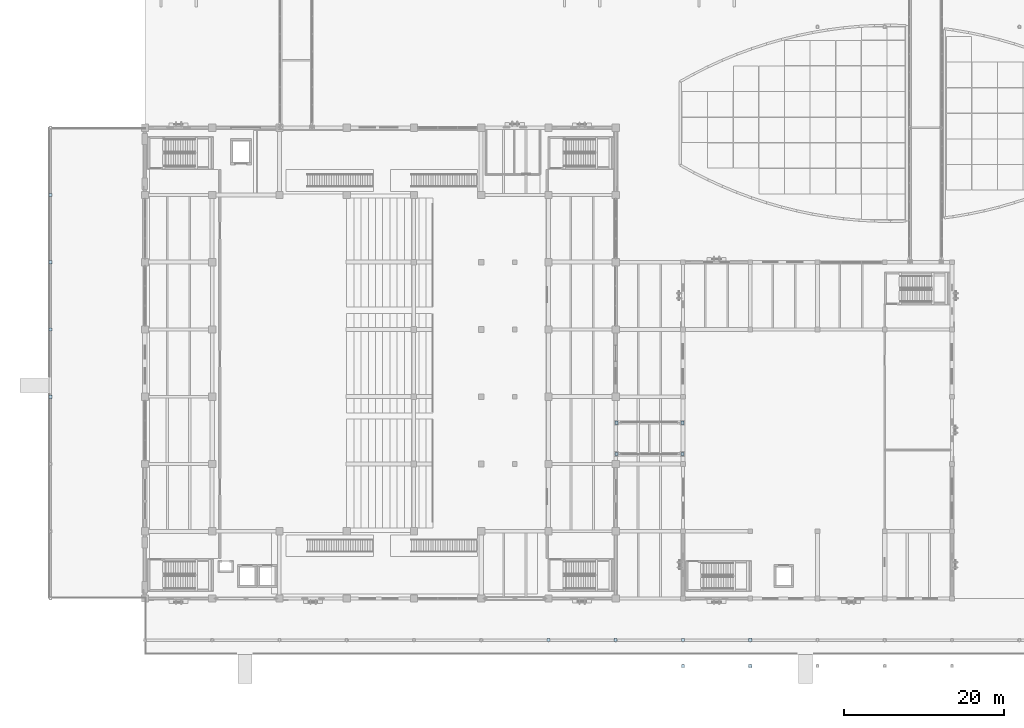
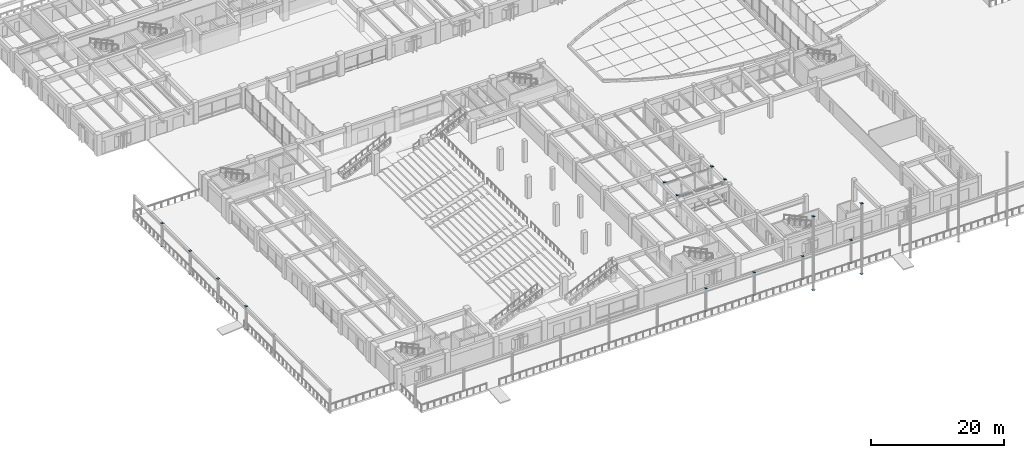
# One storey, part 75 of 135: 28 plates.
"""IFC4 building model written with IfcOpenShell, lengths in metres."""

from ifc_helpers import new_model, si_unit, direction, frame, origin, origin_2d, place, context, subcontext, project, spatial, rectangle, extrude, material, layer, layer_set, type_object, element, save


model = new_model("IFC4")

# Units and contexts
model_context = context("Model", 3, precision=1e-05, world=origin(), true_north=direction((0.0, 1.0)))
body_context = subcontext(model_context, "Body", "Model", "MODEL_VIEW")
ifc_project = project(units=[si_unit("LENGTHUNIT", "METRE"), si_unit("AREAUNIT", "SQUARE_METRE"), si_unit("VOLUMEUNIT", "CUBIC_METRE"), si_unit("PLANEANGLEUNIT", "RADIAN"), si_unit("MASSUNIT", "GRAM", prefix="KILO")], contexts=[model_context])

# Site, building, storey
site_placement = place(None, origin())
site = spatial("IfcSite", under=ifc_project, at=site_placement, CompositionType="ELEMENT")
building_placement = place(site_placement, origin())
building = spatial("IfcBuilding", under=site, at=building_placement, Name="Cumbredor Promenade Congress Hotel", CompositionType="ELEMENT")
storey_placement = place(building_placement, origin())
storey = spatial("IfcBuildingStorey", under=building, at=storey_placement, Name="L00", CompositionType="ELEMENT", Elevation=0.0)

# Plates
ifc_material = material(Name="Steel ASTM A572 Grade 50", Category="steel")
ifc_layer = layer(ifc_material, 0.02001953125, Name="Steel ASTM A572 Grade 50", Category="steel")
ifc_layer_set = layer_set([ifc_layer], Name="Steel ASTM A572 Grade 50")
plate_type = type_object("IfcPlateType", Name="Hollow Section End Cap Plate CP-04", PredefinedType="USERDEFINED", material=ifc_layer_set)
for number, where, z_axis, x_axis, name in (
    (1, (-3.39990234375, 33.60009765625, -0.318115234375), (0.0, 0.0, 1.0), (1.0, 0.0, 0.0), "Promenade Colonnade Column TC-004 Start Cap Plate"),
    (2, (-3.39990234375, 33.60009765625, 3.91796875), (0.0, 0.0, 1.0), (1.0, 0.0, 0.0), "Promenade Colonnade Column TC-004 End Cap Plate"),
    (3, (-3.39990234375, 42.0, -0.318115234375), (0.0, 0.0, 1.0), (1.0, 0.0, 0.0), "Promenade Colonnade Column TC-005 Start Cap Plate"),
    (4, (-3.39990234375, 42.0, 3.91796875), (0.0, 0.0, 1.0), (1.0, 0.0, 0.0), "Promenade Colonnade Column TC-005 End Cap Plate"),
    (5, (-3.39990234375, 50.39990234375, -0.318115234375), (0.0, 0.0, 1.0), (1.0, 0.0, 0.0), "Promenade Colonnade Column TC-006 Start Cap Plate"),
    (6, (-3.39990234375, 50.39990234375, 3.91796875), (0.0, 0.0, 1.0), (1.0, 0.0, 0.0), "Promenade Colonnade Column TC-006 End Cap Plate"),
    (7, (-3.39990234375, 58.800048828125, -0.318115234375), (0.0, 0.0, 1.0), (1.0, 0.0, 0.0), "Promenade Colonnade Column TC-007 Start Cap Plate"),
    (8, (-3.39990234375, 58.800048828125, 3.91796875), (0.0, 0.0, 1.0), (1.0, 0.0, 0.0), "Promenade Colonnade Column TC-007 End Cap Plate"),
    (9, (58.800048828125, 3.199951171875, -0.318115234375), (0.0, 0.0, 1.0), (1.0, 0.0, 0.0), "Promenade Colonnade Column TC-015 Start Cap Plate"),
    (10, (58.800048828125, 3.199951171875, 3.91796875), (0.0, 0.0, 1.0), (1.0, 0.0, 0.0), "Promenade Colonnade Column TC-015 End Cap Plate"),
    (11, (67.199951171875, 3.199951171875, -0.318115234375), (0.0, 0.0, 1.0), (1.0, 0.0, 0.0), "Promenade Colonnade Column TC-016 Start Cap Plate"),
    (12, (67.199951171875, 3.199951171875, 3.91796875), (0.0, 0.0, 1.0), (1.0, 0.0, 0.0), "Promenade Colonnade Column TC-016 End Cap Plate"),
    (13, (75.60009765625, 3.199951171875, -0.318115234375), (0.0, 0.0, 1.0), (1.0, 0.0, 0.0), "Promenade Colonnade Column TC-017 Start Cap Plate"),
    (14, (75.60009765625, 3.199951171875, 3.91796875), (0.0, 0.0, 1.0), (1.0, 0.0, 0.0), "Promenade Colonnade Column TC-017 End Cap Plate"),
    (15, (84.0, 3.199951171875, -0.318115234375), (0.0, 0.0, 1.0), (1.0, 0.0, 0.0), "Promenade Colonnade Column TC-018 Start Cap Plate"),
    (16, (84.0, 3.199951171875, 3.91796875), (0.0, 0.0, 1.0), (1.0, 0.0, 0.0), "Promenade Colonnade Column TC-018 End Cap Plate"),
    (17, (75.60009765625, 0.0, -0.318115234375), (0.0, 0.0, 1.0), (1.0, 0.0, 0.0), "Thermal Spa and Hydrotherapy Pavilion Slim Overhang Pavilion Column 01 Start Cap Plate"),
    (18, (75.60009765625, 0.0, 13.149169921875), (0.0, 0.0, 1.0), (1.0, 0.0, 0.0), "Thermal Spa and Hydrotherapy Pavilion Slim Overhang Pavilion Column 01 End Cap Plate"),
    (19, (84.0, 0.0, -0.318115234375), (0.0, 0.0, 1.0), (1.0, 0.0, 0.0), "Thermal Spa and Hydrotherapy Pavilion Slim Overhang Pavilion Column 02 Start Cap Plate"),
    (20, (84.0, 0.0, 12.578369140625), (0.0, 0.0, 1.0), (1.0, 0.0, 0.0), "Thermal Spa and Hydrotherapy Pavilion Slim Overhang Pavilion Column 02 End Cap Plate"),
    (21, (67.280029296875, 26.449951171875, -0.01806640625), (0.0, 0.0, 1.0), (1.0, 0.0, 0.0), "L00 Central Plenary-to-Spa Pool Bridge Support Column 1 Start Cap Plate"),
    (22, (67.280029296875, 26.449951171875, 3.91796875), (0.0, 0.0, 1.0), (1.0, 0.0, 0.0), "L00 Central Plenary-to-Spa Pool Bridge Support Column 1 End Cap Plate"),
    (23, (67.280029296875, 30.35009765625, -0.01806640625), (0.0, 0.0, 1.0), (1.0, 0.0, 0.0), "L00 Central Plenary-to-Spa Pool Bridge Support Column 2 Start Cap Plate"),
    (24, (67.280029296875, 30.35009765625, 3.91796875), (0.0, 0.0, 1.0), (1.0, 0.0, 0.0), "L00 Central Plenary-to-Spa Pool Bridge Support Column 2 End Cap Plate"),
    (25, (75.52001953125, 26.449951171875, -0.01806640625), (0.0, 0.0, 1.0), (1.0, 0.0, 0.0), "L00 Central Plenary-to-Spa Pool Bridge Support Column 3 Start Cap Plate"),
    (26, (75.52001953125, 26.449951171875, 3.91796875), (0.0, 0.0, 1.0), (1.0, 0.0, 0.0), "L00 Central Plenary-to-Spa Pool Bridge Support Column 3 End Cap Plate"),
    (27, (75.52001953125, 30.35009765625, -0.01806640625), (0.0, 0.0, 1.0), (1.0, 0.0, 0.0), "L00 Central Plenary-to-Spa Pool Bridge Support Column 4 Start Cap Plate"),
    (28, (75.52001953125, 30.35009765625, 3.91796875), (0.0, 0.0, 1.0), (1.0, 0.0, 0.0), "L00 Central Plenary-to-Spa Pool Bridge Support Column 4 End Cap Plate"),
):
    element("IfcPlate", number, at=place(storey_placement, frame(where, z_axis=z_axis, x_axis=x_axis)), inside=storey, type_object=plate_type, Name=name, ObjectType="CAP PLATE", PredefinedType="USERDEFINED", context=body_context, shape_type="SweptSolid", body=[
        extrude(rectangle(XDim=0.3798828125, YDim=0.3798828125, at=origin_2d()), origin(), (0.0, 0.0, 1.0), 0.02001953125),
    ])

save(model, "model.ifc")
